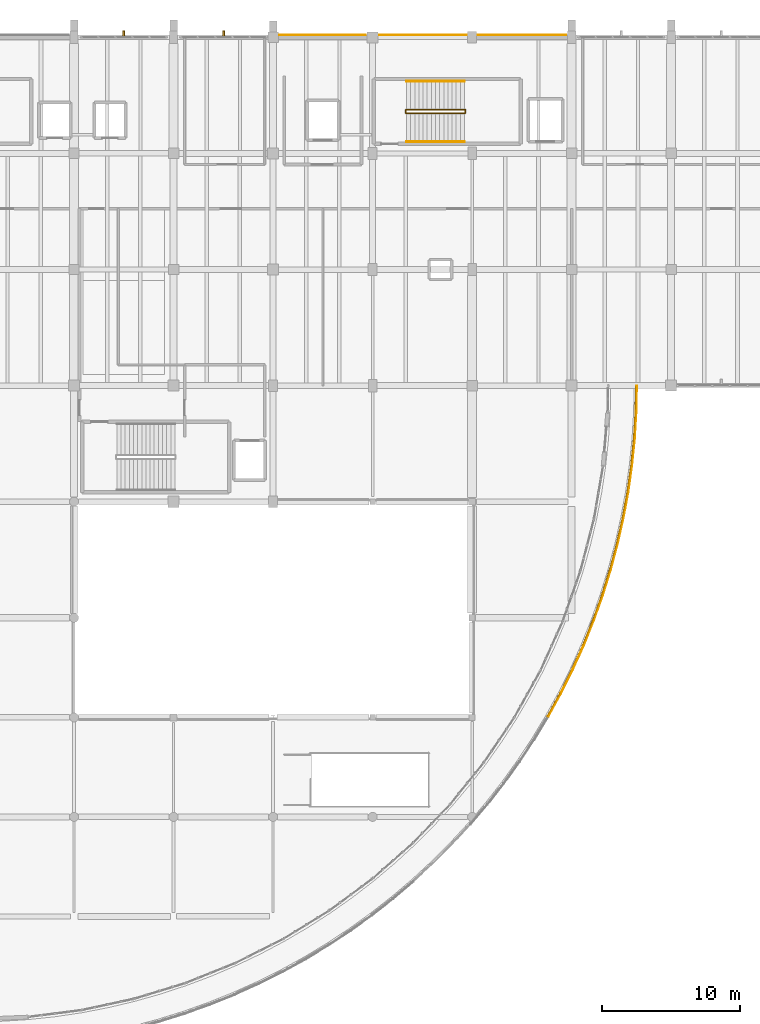
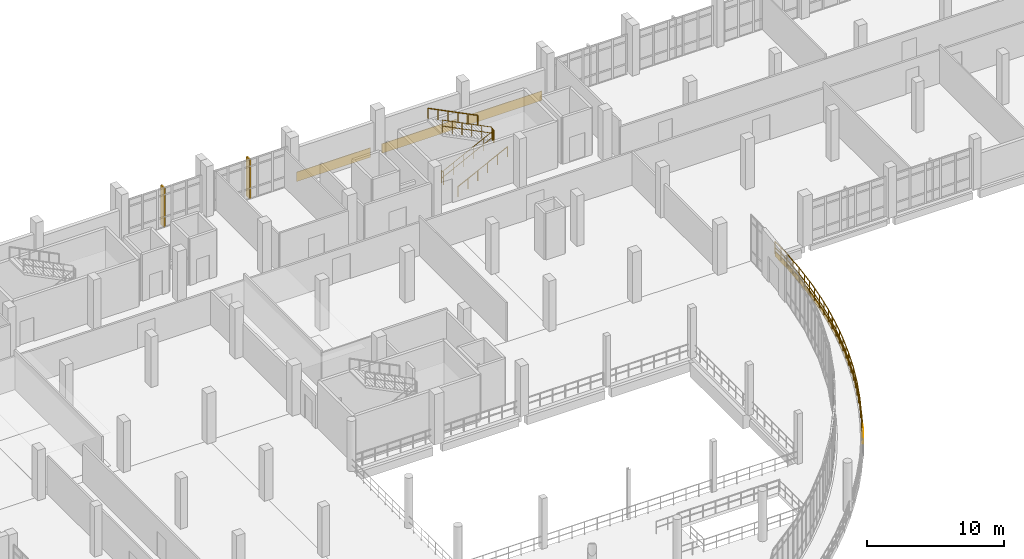
# One storey, part 115 of 116: 19 railings, 16 coverings, 2 shading devices.
"""IFC4 building model written with IfcOpenShell, lengths in metres."""

from ifc_helpers import new_model, si_unit, direction, frame, origin, origin_2d, place, context, subcontext, project, spatial, rectangle, circle, extrude, material, layer, layer_set, type_object, element, save


model = new_model("IFC4")

# Units and contexts
model_context = context("Model", 3, precision=1e-05, world=origin(), true_north=direction((0.0, 1.0)))
body_context = subcontext(model_context, "Body", "Model", "MODEL_VIEW")
ifc_project = project(units=[si_unit("LENGTHUNIT", "METRE"), si_unit("AREAUNIT", "SQUARE_METRE"), si_unit("VOLUMEUNIT", "CUBIC_METRE"), si_unit("PLANEANGLEUNIT", "RADIAN"), si_unit("MASSUNIT", "GRAM", prefix="KILO")], contexts=[model_context])

# Site, building, storey
site_placement = place(None, origin())
site = spatial("IfcSite", under=ifc_project, at=site_placement, CompositionType="ELEMENT")
building_placement = place(site_placement, origin())
building = spatial("IfcBuilding", under=site, at=building_placement, Name="Kalluvel Institute of Natural Sciences", CompositionType="ELEMENT")
storey_placement = place(building_placement, frame((0.0, 0.0, 14.39990234375)))
storey = spatial("IfcBuildingStorey", under=building, at=storey_placement, Name="L03", CompositionType="ELEMENT", Elevation=14.39990234375)

# Coverings
ifc_material_1 = material(Name="Sadarahalli Grey Granite Ashlar Concrete M40", Category="masonry")
ifc_layer = layer(ifc_material_1, 0.044921875)
ifc_layer_set = layer_set([ifc_layer], Name="Sadarahalli Grey Granite Ashlar Concrete M40")
covering_type = type_object("IfcCoveringType", Name="COV-CLAD-STONE", PredefinedType="CLADDING", material=ifc_layer_set)
covering_1_placement = place(storey_placement, frame((60.78759765625, 128.179931640625, 0.025146484375), z_axis=(0.0, 0.0, 1.0), x_axis=(1.0, 0.0, 0.0)))
element("IfcCovering", 1, at=covering_1_placement, inside=storey, type_object=covering_type, Name="L03 Sadarahalli granite plinth spandrel cladding 40", PredefinedType="CLADDING", context=body_context, shape_type="SweptSolid", body=[
    extrude(rectangle(XDim=6.264892578125, YDim=0.044921875, at=origin_2d()), origin(), (0.0, 0.0, 1.0), 0.85009765625),
])
covering_2_placement = place(storey_placement, frame((68.03759765625, 128.179931640625, 0.025146484375), z_axis=(0.0, 0.0, 1.0), x_axis=(1.0, 0.0, 0.0)))
element("IfcCovering", 2, at=covering_2_placement, inside=storey, type_object=covering_type, Name="L03 Sadarahalli granite plinth spandrel cladding 41", PredefinedType="CLADDING", context=body_context, shape_type="SweptSolid", body=[
    extrude(rectangle(XDim=6.31494140625, YDim=0.044921875, at=origin_2d()), origin(), (0.0, 0.0, 1.0), 0.85009765625),
])
covering_3_placement = place(storey_placement, frame((75.21240234375, 128.179931640625, 0.025146484375), z_axis=(0.0, 0.0, 1.0), x_axis=(1.0, 0.0, 0.0)))
element("IfcCovering", 3, at=covering_3_placement, inside=storey, type_object=covering_type, Name="L03 Sadarahalli granite plinth spandrel cladding 42", PredefinedType="CLADDING", context=body_context, shape_type="SweptSolid", body=[
    extrude(rectangle(XDim=6.4150390625, YDim=0.044921875, at=origin_2d()), origin(), (0.0, 0.0, 1.0), 0.85009765625),
])
for number, where, z_axis, x_axis, name in (
    (4, (77.556640625, 79.690185546875, -0.31982421875), (0.0, 0.0, 1.0), (0.482365334125, 0.875970139009, 0.0), "L03 curved terrace Sadarahalli stone spandrel fascia 318"),
    (5, (78.453125, 81.398193359375, -0.31982421875), (0.0, 0.0, 1.0), (0.446822486371, 0.894622638699, 0.0), "L03 curved terrace Sadarahalli stone spandrel fascia 319"),
    (6, (79.2802734375, 83.14111328125, -0.31982421875), (0.0, 0.0, 1.0), (0.410400562604, 0.911905355952, 0.0), "L03 curved terrace Sadarahalli stone spandrel fascia 320"),
    (7, (80.036376953125, 84.916015625, -0.31982421875), (0.0, 0.0, 1.0), (0.373311635797, 0.927706000077, 0.0), "L03 curved terrace Sadarahalli stone spandrel fascia 321"),
    (8, (80.720458984375, 86.719482421875, -0.31982421875), (0.0, 0.0, 1.0), (0.335615984683, 0.941998891096, 0.0), "L03 curved terrace Sadarahalli stone spandrel fascia 322"),
    (9, (81.331298828125, 88.549560546875, -0.31982421875), (0.0, 0.0, 1.0), (0.297541506743, 0.954708883255, 0.0), "L03 curved terrace Sadarahalli stone spandrel fascia 323"),
    (10, (81.8681640625, 90.402587890625, -0.31982421875), (0.0, 0.0, 1.0), (0.258819045103, 0.965925826289, 0.0), "L03 curved terrace Sadarahalli stone spandrel fascia 324"),
    (11, (82.329833984375, 92.275634765625, -0.31982421875), (0.0, 0.0, 1.0), (0.219675938108, 0.975572899489, 0.0), "L03 curved terrace Sadarahalli stone spandrel fascia 325"),
    (12, (82.7158203125, 94.165771484375, -0.31982421875), (0.0, 0.0, 1.0), (0.180175803048, 0.983634423958, 0.0), "L03 curved terrace Sadarahalli stone spandrel fascia 326"),
    (13, (83.025146484375, 96.06982421875, -0.31982421875), (0.0, 0.0, 1.0), (0.14055563991, 0.990072781208, 0.0), "L03 curved terrace Sadarahalli stone spandrel fascia 327"),
    (14, (83.2578125, 97.985107421875, -0.31982421875), (0.0, 0.0, 1.0), (0.100535365033, 0.994933485404, 0.0), "L03 curved terrace Sadarahalli stone spandrel fascia 328"),
    (15, (83.412841796875, 99.907958984375, -0.31982421875), (0.0, 0.0, 1.0), (0.06035169517, 0.9981771751, 0.0), "L03 curved terrace Sadarahalli stone spandrel fascia 329"),
    (16, (83.490478515625, 101.83544921875, -0.31982421875), (0.0, 0.0, 1.0), (0.020069938784, 0.999798578493, 0.0), "L03 curved terrace Sadarahalli stone spandrel fascia 330"),
):
    element("IfcCovering", number, at=place(storey_placement, frame(where, z_axis=z_axis, x_axis=x_axis)), inside=storey, type_object=covering_type, Name=name, PredefinedType="CLADDING", context=body_context, shape_type="SweptSolid", body=[
        extrude(rectangle(XDim=1.88916015625, YDim=0.054931640625, at=origin_2d()), origin(), (0.0, 0.0, 1.0), 0.47998046875),
    ])

# Railings
ifc_material_2 = material(Name="Steel E350 Grade 350", Category="steel")
railing_type_1 = type_object("IfcRailingType", Name="RL-BAL-EXT", PredefinedType="BALUSTRADE", material=ifc_material_2)
railing_1_placement = place(storey_placement, frame((77.02197265625, 78.885009765625, 0.0)))
element("IfcRailing", 17, at=railing_1_placement, inside=storey, type_object=railing_type_1, Name="L03 curved atrium terrace balustrade", PredefinedType="BALUSTRADE", context=body_context, shape_type="SweptSolid", body=[
    extrude(circle(Radius=0.02392578125, at=origin_2d()), frame((0.0, 0.0, 1.09619140625), z_axis=(0.482497608519, 0.875897287228, 0.0), x_axis=(-0.875897287228, 0.482497608519, 0.0)), (0.0, 0.0, 1.0), 1.92626953125),
    extrude(circle(Radius=0.02392578125, at=origin_2d()), frame((0.0, 0.0, 0.56005859375), z_axis=(0.482497608519, 0.875897287228, 0.0), x_axis=(-0.875897287228, 0.482497608519, 0.0)), (0.0, 0.0, 1.0), 1.92626953125),
    extrude(circle(Radius=0.02099609375, at=origin_2d()), origin(), (0.0, 0.0, 1.0), 1.072021484375),
    extrude(circle(Radius=0.02099609375, at=origin_2d()), frame((0.46484375, 0.84375, 0.0)), (0.0, 0.0, 1.0), 1.072021484375),
    extrude(circle(Radius=0.02099609375, at=origin_2d()), frame((0.929443359375, 1.687255859375, 0.0)), (0.0, 0.0, 1.0), 1.072021484375),
])
railing_2_placement = place(storey_placement, frame((77.951416015625, 80.572265625, 0.0)))
element("IfcRailing", 18, at=railing_2_placement, inside=storey, type_object=railing_type_1, Name="L03 curved atrium terrace balustrade", PredefinedType="BALUSTRADE", context=body_context, shape_type="SweptSolid", body=[
    extrude(circle(Radius=0.02392578125, at=origin_2d()), frame((0.0, 0.0, 1.09619140625), z_axis=(0.446757274565, 0.894655206, 0.0), x_axis=(-0.894655206, 0.446757274565, 0.0)), (0.0, 0.0, 1.0), 1.92626953125),
    extrude(circle(Radius=0.02392578125, at=origin_2d()), frame((0.0, 0.0, 0.56005859375), z_axis=(0.446757274565, 0.894655206, 0.0), x_axis=(-0.894655206, 0.446757274565, 0.0)), (0.0, 0.0, 1.0), 1.92626953125),
    extrude(circle(Radius=0.02099609375, at=origin_2d()), origin(), (0.0, 0.0, 1.0), 1.072021484375),
    extrude(circle(Radius=0.02099609375, at=origin_2d()), frame((0.43017578125, 0.86181640625, 0.0)), (0.0, 0.0, 1.0), 1.072021484375),
    extrude(circle(Radius=0.02099609375, at=origin_2d()), frame((0.860595703125, 1.723388671875, 0.0)), (0.0, 0.0, 1.0), 1.072021484375),
])
railing_3_placement = place(storey_placement, frame((78.81201171875, 82.295654296875, 0.0)))
element("IfcRailing", 19, at=railing_3_placement, inside=storey, type_object=railing_type_1, Name="L03 curved atrium terrace balustrade", PredefinedType="BALUSTRADE", context=body_context, shape_type="SweptSolid", body=[
    extrude(circle(Radius=0.02392578125, at=origin_2d()), frame((0.0, 0.0, 1.09619140625), z_axis=(0.410391026873, 0.911909647422, 0.0), x_axis=(-0.911909647422, 0.410391026873, 0.0)), (0.0, 0.0, 1.0), 1.92626953125),
    extrude(circle(Radius=0.02392578125, at=origin_2d()), frame((0.0, 0.0, 0.56005859375), z_axis=(0.410391026873, 0.911909647422, 0.0), x_axis=(-0.911909647422, 0.410391026873, 0.0)), (0.0, 0.0, 1.0), 1.92626953125),
    extrude(circle(Radius=0.02099609375, at=origin_2d()), origin(), (0.0, 0.0, 1.0), 1.072021484375),
    extrude(circle(Radius=0.02099609375, at=origin_2d()), frame((0.395263671875, 0.87841796875, 0.0)), (0.0, 0.0, 1.0), 1.072021484375),
    extrude(circle(Radius=0.02099609375, at=origin_2d()), frame((0.79052734375, 1.756591796875, 0.0)), (0.0, 0.0, 1.0), 1.072021484375),
])
railing_4_placement = place(storey_placement, frame((79.6025390625, 84.05224609375, 0.0)))
element("IfcRailing", 20, at=railing_4_placement, inside=storey, type_object=railing_type_1, Name="L03 curved atrium terrace balustrade", PredefinedType="BALUSTRADE", context=body_context, shape_type="SweptSolid", body=[
    extrude(circle(Radius=0.02392578125, at=origin_2d()), frame((0.0, 0.0, 1.09619140625), z_axis=(0.373400294881, 0.927670318477, 0.0), x_axis=(-0.927670318477, 0.373400294881, 0.0)), (0.0, 0.0, 1.0), 1.92626953125),
    extrude(circle(Radius=0.02392578125, at=origin_2d()), frame((0.0, 0.0, 0.56005859375), z_axis=(0.373400294881, 0.927670318477, 0.0), x_axis=(-0.927670318477, 0.373400294881, 0.0)), (0.0, 0.0, 1.0), 1.92626953125),
    extrude(circle(Radius=0.02099609375, at=origin_2d()), origin(), (0.0, 0.0, 1.0), 1.072021484375),
    extrude(circle(Radius=0.02099609375, at=origin_2d()), frame((0.359619140625, 0.8935546875, 0.0)), (0.0, 0.0, 1.0), 1.072021484375),
    extrude(circle(Radius=0.02099609375, at=origin_2d()), frame((0.71923828125, 1.786865234375, 0.0)), (0.0, 0.0, 1.0), 1.072021484375),
])
railing_5_placement = place(storey_placement, frame((80.32177734375, 85.839111328125, 0.0)))
element("IfcRailing", 21, at=railing_5_placement, inside=storey, type_object=railing_type_1, Name="L03 curved atrium terrace balustrade", PredefinedType="BALUSTRADE", context=body_context, shape_type="SweptSolid", body=[
    extrude(circle(Radius=0.02392578125, at=origin_2d()), frame((0.0, 0.0, 1.09619140625), z_axis=(0.335702107987, 0.941968202591, 0.0), x_axis=(-0.941968202591, 0.335702107987, 0.0)), (0.0, 0.0, 1.0), 1.926513671875),
    extrude(circle(Radius=0.02392578125, at=origin_2d()), frame((0.0, 0.0, 0.56005859375), z_axis=(0.335702107987, 0.941968202591, 0.0), x_axis=(-0.941968202591, 0.335702107987, 0.0)), (0.0, 0.0, 1.0), 1.926513671875),
    extrude(circle(Radius=0.02099609375, at=origin_2d()), origin(), (0.0, 0.0, 1.0), 1.072021484375),
    extrude(circle(Radius=0.02099609375, at=origin_2d()), frame((0.3232421875, 0.9072265625, 0.0)), (0.0, 0.0, 1.0), 1.072021484375),
    extrude(circle(Radius=0.02099609375, at=origin_2d()), frame((0.646728515625, 1.814697265625, 0.0)), (0.0, 0.0, 1.0), 1.072021484375),
])
railing_6_placement = place(storey_placement, frame((80.968505859375, 87.65380859375, 0.0)))
element("IfcRailing", 22, at=railing_6_placement, inside=storey, type_object=railing_type_1, Name="L03 curved atrium terrace balustrade", PredefinedType="BALUSTRADE", context=body_context, shape_type="SweptSolid", body=[
    extrude(circle(Radius=0.02392578125, at=origin_2d()), frame((0.0, 0.0, 1.09619140625), z_axis=(0.297459416624, 0.954734463326, 0.0), x_axis=(-0.954734463326, 0.297459416624, 0.0)), (0.0, 0.0, 1.0), 1.92626953125),
    extrude(circle(Radius=0.02392578125, at=origin_2d()), frame((0.0, 0.0, 0.56005859375), z_axis=(0.297459416624, 0.954734463326, 0.0), x_axis=(-0.954734463326, 0.297459416624, 0.0)), (0.0, 0.0, 1.0), 1.92626953125),
    extrude(circle(Radius=0.02099609375, at=origin_2d()), origin(), (0.0, 0.0, 1.0), 1.072021484375),
    extrude(circle(Radius=0.02099609375, at=origin_2d()), frame((0.28662109375, 0.91943359375, 0.0)), (0.0, 0.0, 1.0), 1.072021484375),
    extrude(circle(Radius=0.02099609375, at=origin_2d()), frame((0.572998046875, 1.839111328125, 0.0)), (0.0, 0.0, 1.0), 1.072021484375),
])
railing_7_placement = place(storey_placement, frame((81.54150390625, 89.492919921875, 0.0)))
element("IfcRailing", 23, at=railing_7_placement, inside=storey, type_object=railing_type_1, Name="L03 curved atrium terrace balustrade", PredefinedType="BALUSTRADE", context=body_context, shape_type="SweptSolid", body=[
    extrude(circle(Radius=0.02392578125, at=origin_2d()), frame((0.0, 0.0, 1.09619140625), z_axis=(0.25881422082, 0.965927118939, 0.0), x_axis=(-0.965927118939, 0.25881422082, 0.0)), (0.0, 0.0, 1.0), 1.92626953125),
    extrude(circle(Radius=0.02392578125, at=origin_2d()), frame((0.0, 0.0, 0.56005859375), z_axis=(0.25881422082, 0.965927118939, 0.0), x_axis=(-0.965927118939, 0.25881422082, 0.0)), (0.0, 0.0, 1.0), 1.92626953125),
    extrude(circle(Radius=0.02099609375, at=origin_2d()), origin(), (0.0, 0.0, 1.0), 1.072021484375),
    extrude(circle(Radius=0.02099609375, at=origin_2d()), frame((0.249267578125, 0.93017578125, 0.0)), (0.0, 0.0, 1.0), 1.072021484375),
    extrude(circle(Radius=0.02099609375, at=origin_2d()), frame((0.49853515625, 1.860595703125, 0.0)), (0.0, 0.0, 1.0), 1.072021484375),
])
railing_8_placement = place(storey_placement, frame((82.0400390625, 91.353515625, 0.0)))
element("IfcRailing", 24, at=railing_8_placement, inside=storey, type_object=railing_type_1, Name="L03 curved atrium terrace balustrade", PredefinedType="BALUSTRADE", context=body_context, shape_type="SweptSolid", body=[
    extrude(circle(Radius=0.02392578125, at=origin_2d()), frame((0.0, 0.0, 1.09619140625), z_axis=(0.219747401859, 0.975556804792, 0.0), x_axis=(-0.975556804792, 0.219747401859, 0.0)), (0.0, 0.0, 1.0), 1.926513671875),
    extrude(circle(Radius=0.02392578125, at=origin_2d()), frame((0.0, 0.0, 0.56005859375), z_axis=(0.219747401859, 0.975556804792, 0.0), x_axis=(-0.975556804792, 0.219747401859, 0.0)), (0.0, 0.0, 1.0), 1.926513671875),
    extrude(circle(Radius=0.02099609375, at=origin_2d()), origin(), (0.0, 0.0, 1.0), 1.072021484375),
    extrude(circle(Radius=0.02099609375, at=origin_2d()), frame((0.211669921875, 0.939697265625, 0.0)), (0.0, 0.0, 1.0), 1.072021484375),
    extrude(circle(Radius=0.02099609375, at=origin_2d()), frame((0.42333984375, 1.87939453125, 0.0)), (0.0, 0.0, 1.0), 1.072021484375),
])
railing_9_placement = place(storey_placement, frame((82.46337890625, 93.23291015625, 0.0)))
element("IfcRailing", 25, at=railing_9_placement, inside=storey, type_object=railing_type_1, Name="L03 curved atrium terrace balustrade", PredefinedType="BALUSTRADE", context=body_context, shape_type="SweptSolid", body=[
    extrude(circle(Radius=0.02392578125, at=origin_2d()), frame((0.0, 0.0, 1.09619140625), z_axis=(0.18024611256, 0.983621542519, 0.0), x_axis=(-0.983621542519, 0.18024611256, 0.0)), (0.0, 0.0, 1.0), 1.926025390625),
    extrude(circle(Radius=0.02392578125, at=origin_2d()), frame((0.0, 0.0, 0.56005859375), z_axis=(0.18024611256, 0.983621542519, 0.0), x_axis=(-0.983621542519, 0.18024611256, 0.0)), (0.0, 0.0, 1.0), 1.926025390625),
    extrude(circle(Radius=0.02099609375, at=origin_2d()), origin(), (0.0, 0.0, 1.0), 1.072021484375),
    extrude(circle(Radius=0.02099609375, at=origin_2d()), frame((0.173583984375, 0.947265625, 0.0)), (0.0, 0.0, 1.0), 1.072021484375),
    extrude(circle(Radius=0.02099609375, at=origin_2d()), frame((0.34716796875, 1.89453125, 0.0)), (0.0, 0.0, 1.0), 1.072021484375),
])
railing_10_placement = place(storey_placement, frame((82.810546875, 95.12744140625, 0.0)))
element("IfcRailing", 26, at=railing_10_placement, inside=storey, type_object=railing_type_1, Name="L03 curved atrium terrace balustrade", PredefinedType="BALUSTRADE", context=body_context, shape_type="SweptSolid", body=[
    extrude(circle(Radius=0.02392578125, at=origin_2d()), frame((0.0, 0.0, 1.09619140625), z_axis=(0.140551882478, 0.990073314625, 0.0), x_axis=(-0.990073314625, 0.140551882478, 0.0)), (0.0, 0.0, 1.0), 1.92626953125),
    extrude(circle(Radius=0.02392578125, at=origin_2d()), frame((0.0, 0.0, 0.56005859375), z_axis=(0.140551882478, 0.990073314625, 0.0), x_axis=(-0.990073314625, 0.140551882478, 0.0)), (0.0, 0.0, 1.0), 1.92626953125),
    extrude(circle(Radius=0.02099609375, at=origin_2d()), origin(), (0.0, 0.0, 1.0), 1.072021484375),
    extrude(circle(Radius=0.02099609375, at=origin_2d()), frame((0.13525390625, 0.95361328125, 0.0)), (0.0, 0.0, 1.0), 1.072021484375),
    extrude(circle(Radius=0.02099609375, at=origin_2d()), frame((0.270751953125, 1.9072265625, 0.0)), (0.0, 0.0, 1.0), 1.072021484375),
])
railing_11_placement = place(storey_placement, frame((83.081298828125, 97.03466796875, 0.0)))
element("IfcRailing", 27, at=railing_11_placement, inside=storey, type_object=railing_type_1, Name="L03 curved atrium terrace balustrade", PredefinedType="BALUSTRADE", context=body_context, shape_type="SweptSolid", body=[
    extrude(circle(Radius=0.02392578125, at=origin_2d()), frame((0.0, 0.0, 1.09619140625), z_axis=(0.10049490452, 0.994937572999, 0.0), x_axis=(-0.994937572999, 0.10049490452, 0.0)), (0.0, 0.0, 1.0), 1.926513671875),
    extrude(circle(Radius=0.02392578125, at=origin_2d()), frame((0.0, 0.0, 0.56005859375), z_axis=(0.10049490452, 0.994937572999, 0.0), x_axis=(-0.994937572999, 0.10049490452, 0.0)), (0.0, 0.0, 1.0), 1.926513671875),
    extrude(circle(Radius=0.02099609375, at=origin_2d()), origin(), (0.0, 0.0, 1.0), 1.072021484375),
    extrude(circle(Radius=0.02099609375, at=origin_2d()), frame((0.0966796875, 0.95849609375, 0.0)), (0.0, 0.0, 1.0), 1.072021484375),
    extrude(circle(Radius=0.02099609375, at=origin_2d()), frame((0.193603515625, 1.916748046875, 0.0)), (0.0, 0.0, 1.0), 1.072021484375),
])
railing_12_placement = place(storey_placement, frame((83.27490234375, 98.951416015625, 0.0)))
element("IfcRailing", 28, at=railing_12_placement, inside=storey, type_object=railing_type_1, Name="L03 curved atrium terrace balustrade", PredefinedType="BALUSTRADE", context=body_context, shape_type="SweptSolid", body=[
    extrude(circle(Radius=0.02392578125, at=origin_2d()), frame((0.0, 0.0, 1.09619140625), z_axis=(0.060460618197, 0.998170583441, 0.0), x_axis=(-0.998170583441, 0.060460618197, 0.0)), (0.0, 0.0, 1.0), 1.926025390625),
    extrude(circle(Radius=0.02392578125, at=origin_2d()), frame((0.0, 0.0, 0.56005859375), z_axis=(0.060460618197, 0.998170583441, 0.0), x_axis=(-0.998170583441, 0.060460618197, 0.0)), (0.0, 0.0, 1.0), 1.926025390625),
    extrude(circle(Radius=0.02099609375, at=origin_2d()), origin(), (0.0, 0.0, 1.0), 1.072021484375),
    extrude(circle(Radius=0.02099609375, at=origin_2d()), frame((0.05810546875, 0.96142578125, 0.0)), (0.0, 0.0, 1.0), 1.072021484375),
    extrude(circle(Radius=0.02099609375, at=origin_2d()), frame((0.116455078125, 1.922607421875, 0.0)), (0.0, 0.0, 1.0), 1.072021484375),
])
railing_13_placement = place(storey_placement, frame((83.391357421875, 100.8740234375, 0.0)))
element("IfcRailing", 29, at=railing_13_placement, inside=storey, type_object=railing_type_1, Name="L03 curved atrium terrace balustrade", PredefinedType="BALUSTRADE", context=body_context, shape_type="SweptSolid", body=[
    extrude(circle(Radius=0.02392578125, at=origin_2d()), frame((0.0, 0.0, 1.09619140625), z_axis=(0.020892145771, 0.999781735303, 0.0), x_axis=(-0.999781735303, 0.020892145771, 0.0)), (0.0, 0.0, 1.0), 1.846435546875),
    extrude(circle(Radius=0.02392578125, at=origin_2d()), frame((0.0, 0.0, 0.56005859375), z_axis=(0.020892145771, 0.999781735303, 0.0), x_axis=(-0.999781735303, 0.020892145771, 0.0)), (0.0, 0.0, 1.0), 1.846435546875),
    extrude(circle(Radius=0.02099609375, at=origin_2d()), origin(), (0.0, 0.0, 1.0), 1.072021484375),
    extrude(circle(Radius=0.02099609375, at=origin_2d()), frame((0.019287109375, 0.9228515625, 0.0)), (0.0, 0.0, 1.0), 1.072021484375),
    extrude(circle(Radius=0.02099609375, at=origin_2d()), frame((0.03857421875, 1.845947265625, 0.0)), (0.0, 0.0, 1.0), 1.072021484375),
])
ifc_material_3 = material(Name="Galvanized Fire-Rated Steel", Category="steel")
railing_type_2 = type_object("IfcRailingType", Name="RL-GD-STAIR", PredefinedType="BALUSTRADE", material=ifc_material_3)
railing_14_placement = place(storey_placement, frame((66.85009765625, 122.510009765625, 0.150146484375)))
element("IfcRailing", 30, at=railing_14_placement, inside=storey, type_object=railing_type_2, Name="L03 ST2 stair guard 1", PredefinedType="BALUSTRADE", context=body_context, shape_type="SweptSolid", body=[
    extrude(circle(Radius=0.02392578125, at=origin_2d()), frame((0.0, 0.0, 1.09619140625), z_axis=(0.894437589381, 0.0, 0.447192798132), x_axis=(0.0, 1.0, 0.0)), (0.0, 0.0, 1.0), 4.695556640625),
    extrude(circle(Radius=0.02392578125, at=origin_2d()), frame((0.0, 0.0, 0.56005859375), z_axis=(0.894437589381, 0.0, 0.447192798132), x_axis=(0.0, 1.0, 0.0)), (0.0, 0.0, 1.0), 4.695556640625),
    extrude(circle(Radius=0.02099609375, at=origin_2d()), origin(), (0.0, 0.0, 1.0), 1.072021484375),
    extrude(circle(Radius=0.02099609375, at=origin_2d()), frame((0.840087890625, 0.0, 0.419921875)), (0.0, 0.0, 1.0), 1.072021484375),
    extrude(circle(Radius=0.02099609375, at=origin_2d()), frame((1.679931640625, 0.0, 0.83984375)), (0.0, 0.0, 1.0), 1.072021484375),
    extrude(circle(Radius=0.02099609375, at=origin_2d()), frame((2.52001953125, 0.0, 1.260009765625)), (0.0, 0.0, 1.0), 1.072021484375),
    extrude(circle(Radius=0.02099609375, at=origin_2d()), frame((3.35986328125, 0.0, 1.679931640625)), (0.0, 0.0, 1.0), 1.072021484375),
    extrude(circle(Radius=0.02099609375, at=origin_2d()), frame((4.199951171875, 0.0, 2.099853515625)), (0.0, 0.0, 1.0), 1.072021484375),
])
railing_15_placement = place(storey_placement, frame((71.10009765625, 122.4951171875, 2.25)))
element("IfcRailing", 31, at=railing_15_placement, inside=storey, type_object=railing_type_2, Name="L03 ST2 stair guard 2", PredefinedType="BALUSTRADE", context=body_context, shape_type="SweptSolid", body=[
    extrude(circle(Radius=0.02392578125, at=origin_2d()), frame((0.0, 0.0, 1.09619140625), z_axis=(0.0, 1.0, 0.0), x_axis=(-1.0, 0.0, 0.0)), (0.0, 0.0, 1.0), 0.27978515625),
    extrude(circle(Radius=0.02392578125, at=origin_2d()), frame((0.0, 0.0, 0.56005859375), z_axis=(0.0, 1.0, 0.0), x_axis=(-1.0, 0.0, 0.0)), (0.0, 0.0, 1.0), 0.27978515625),
    extrude(circle(Radius=0.02099609375, at=origin_2d()), origin(), (0.0, 0.0, 1.0), 1.072021484375),
    extrude(circle(Radius=0.02099609375, at=origin_2d()), frame((0.0, 0.27978515625, 0.0)), (0.0, 0.0, 1.0), 1.072021484375),
])
railing_16_placement = place(storey_placement, frame((71.050048828125, 122.760009765625, 2.400146484375)))
element("IfcRailing", 32, at=railing_16_placement, inside=storey, type_object=railing_type_2, Name="L03 ST2 stair guard 3", PredefinedType="BALUSTRADE", context=body_context, shape_type="SweptSolid", body=[
    extrude(circle(Radius=0.02392578125, at=origin_2d()), frame((0.0, 0.0, 1.09619140625), z_axis=(-0.894437589381, 0.0, 0.447192798132), x_axis=(0.0, -1.0, 0.0)), (0.0, 0.0, 1.0), 4.695556640625),
    extrude(circle(Radius=0.02392578125, at=origin_2d()), frame((0.0, 0.0, 0.56005859375), z_axis=(-0.894437589381, 0.0, 0.447192798132), x_axis=(0.0, -1.0, 0.0)), (0.0, 0.0, 1.0), 4.695556640625),
    extrude(circle(Radius=0.02099609375, at=origin_2d()), origin(), (0.0, 0.0, 1.0), 1.072021484375),
    extrude(circle(Radius=0.02099609375, at=origin_2d()), frame((-0.840087890625, 0.0, 0.419921875)), (0.0, 0.0, 1.0), 1.072021484375),
    extrude(circle(Radius=0.02099609375, at=origin_2d()), frame((-1.679931640625, 0.0, 0.83984375)), (0.0, 0.0, 1.0), 1.072021484375),
    extrude(circle(Radius=0.02099609375, at=origin_2d()), frame((-2.52001953125, 0.0, 1.260009765625)), (0.0, 0.0, 1.0), 1.072021484375),
    extrude(circle(Radius=0.02099609375, at=origin_2d()), frame((-3.35986328125, 0.0, 1.679931640625)), (0.0, 0.0, 1.0), 1.072021484375),
    extrude(circle(Radius=0.02099609375, at=origin_2d()), frame((-4.199951171875, 0.0, 2.099853515625)), (0.0, 0.0, 1.0), 1.072021484375),
])
railing_17_placement = place(storey_placement, frame((66.800048828125, 122.4951171875, 0.0)))
element("IfcRailing", 33, at=railing_17_placement, inside=storey, type_object=railing_type_2, Name="L03 ST2 stair guard 4", PredefinedType="BALUSTRADE", context=body_context, shape_type="SweptSolid", body=[
    extrude(circle(Radius=0.02392578125, at=origin_2d()), frame((0.0, 0.0, 1.09619140625), z_axis=(0.0, 1.0, 0.0), x_axis=(-1.0, 0.0, 0.0)), (0.0, 0.0, 1.0), 0.27978515625),
    extrude(circle(Radius=0.02392578125, at=origin_2d()), frame((0.0, 0.0, 0.56005859375), z_axis=(0.0, 1.0, 0.0), x_axis=(-1.0, 0.0, 0.0)), (0.0, 0.0, 1.0), 0.27978515625),
    extrude(circle(Radius=0.02099609375, at=origin_2d()), origin(), (0.0, 0.0, 1.0), 1.072021484375),
    extrude(circle(Radius=0.02099609375, at=origin_2d()), frame((0.0, 0.27978515625, 0.0)), (0.0, 0.0, 1.0), 1.072021484375),
])
railing_type_3 = type_object("IfcRailingType", Name="RL-HR-STAIR", PredefinedType="HANDRAIL", material=ifc_material_3)
railing_18_placement = place(storey_placement, frame((66.85009765625, 120.449951171875, 0.150146484375)))
element("IfcRailing", 34, at=railing_18_placement, inside=storey, type_object=railing_type_3, Name="L03 ST2 stair handrail 1", PredefinedType="HANDRAIL", context=body_context, shape_type="SweptSolid", body=[
    extrude(circle(Radius=0.02392578125, at=origin_2d()), frame((0.0, 0.0, 0.89599609375), z_axis=(0.894437589381, 0.0, 0.447192798132), x_axis=(0.0, 1.0, 0.0)), (0.0, 0.0, 1.0), 4.695556640625),
    extrude(circle(Radius=0.02099609375, at=origin_2d()), origin(), (0.0, 0.0, 1.0), 0.871826171875),
    extrude(circle(Radius=0.02099609375, at=origin_2d()), frame((0.840087890625, 0.0, 0.419921875)), (0.0, 0.0, 1.0), 0.871826171875),
    extrude(circle(Radius=0.02099609375, at=origin_2d()), frame((1.679931640625, 0.0, 0.83984375)), (0.0, 0.0, 1.0), 0.871826171875),
    extrude(circle(Radius=0.02099609375, at=origin_2d()), frame((2.52001953125, 0.0, 1.260009765625)), (0.0, 0.0, 1.0), 0.871826171875),
    extrude(circle(Radius=0.02099609375, at=origin_2d()), frame((3.35986328125, 0.0, 1.679931640625)), (0.0, 0.0, 1.0), 0.871826171875),
    extrude(circle(Radius=0.02099609375, at=origin_2d()), frame((4.199951171875, 0.0, 2.099853515625)), (0.0, 0.0, 1.0), 0.871826171875),
])
railing_19_placement = place(storey_placement, frame((71.050048828125, 124.820068359375, 2.400146484375)))
element("IfcRailing", 35, at=railing_19_placement, inside=storey, type_object=railing_type_3, Name="L03 ST2 stair handrail 2", PredefinedType="HANDRAIL", context=body_context, shape_type="SweptSolid", body=[
    extrude(circle(Radius=0.02392578125, at=origin_2d()), frame((0.0, 0.0, 0.89599609375), z_axis=(-0.894437589381, 0.0, 0.447192798132), x_axis=(0.0, -1.0, 0.0)), (0.0, 0.0, 1.0), 4.695556640625),
    extrude(circle(Radius=0.02099609375, at=origin_2d()), origin(), (0.0, 0.0, 1.0), 0.871826171875),
    extrude(circle(Radius=0.02099609375, at=origin_2d()), frame((-0.840087890625, 0.0, 0.419921875)), (0.0, 0.0, 1.0), 0.871826171875),
    extrude(circle(Radius=0.02099609375, at=origin_2d()), frame((-1.679931640625, 0.0, 0.83984375)), (0.0, 0.0, 1.0), 0.871826171875),
    extrude(circle(Radius=0.02099609375, at=origin_2d()), frame((-2.52001953125, 0.0, 1.260009765625)), (0.0, 0.0, 1.0), 0.871826171875),
    extrude(circle(Radius=0.02099609375, at=origin_2d()), frame((-3.35986328125, 0.0, 1.679931640625)), (0.0, 0.0, 1.0), 0.871826171875),
    extrude(circle(Radius=0.02099609375, at=origin_2d()), frame((-4.199951171875, 0.0, 2.099853515625)), (0.0, 0.0, 1.0), 0.871826171875),
])

# Shading devices
shading_device_type = type_object("IfcShadingDeviceType", Name="SHD-FIN-STONE", PredefinedType="USERDEFINED", material=ifc_material_1)
for number, where, z_axis, x_axis, name in (
    (36, (46.39990234375, 128.219970703125, 0.0), (0.0, 0.0, 1.0), (1.0, 0.0, 0.0), "L03 monsoon lancet shading fin 32"),
    (37, (53.637451171875, 128.219970703125, 0.0), (0.0, 0.0, 1.0), (1.0, 0.0, 0.0), "L03 monsoon lancet shading fin 33"),
):
    element("IfcShadingDevice", number, at=place(storey_placement, frame(where, z_axis=z_axis, x_axis=x_axis)), inside=storey, type_object=shading_device_type, Name=name, ObjectType="MONSOON FIN", PredefinedType="USERDEFINED", context=body_context, shape_type="SweptSolid", body=[
        extrude(rectangle(XDim=0.139892578125, YDim=0.47998046875, at=origin_2d()), origin(), (0.0, 0.0, 1.0), 3.530029296875),
    ])

save(model, "model.ifc")
